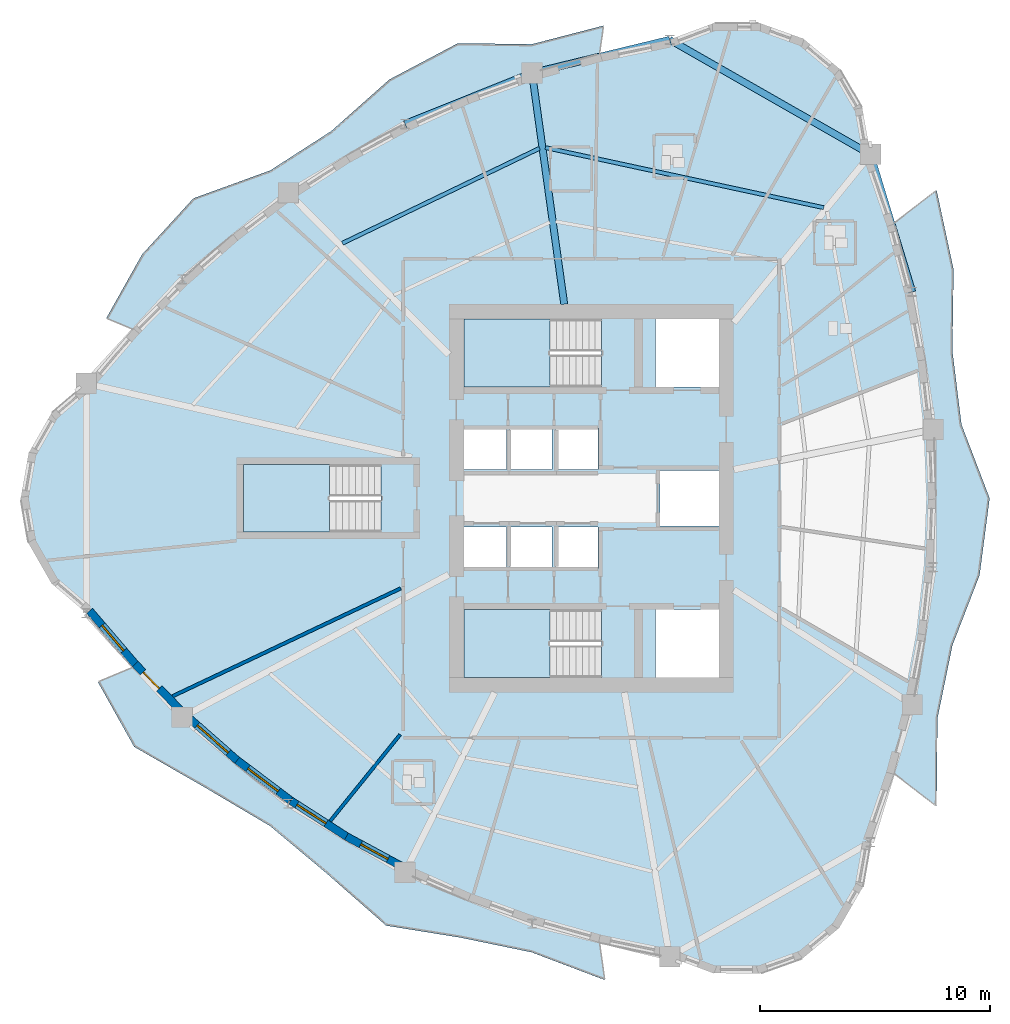
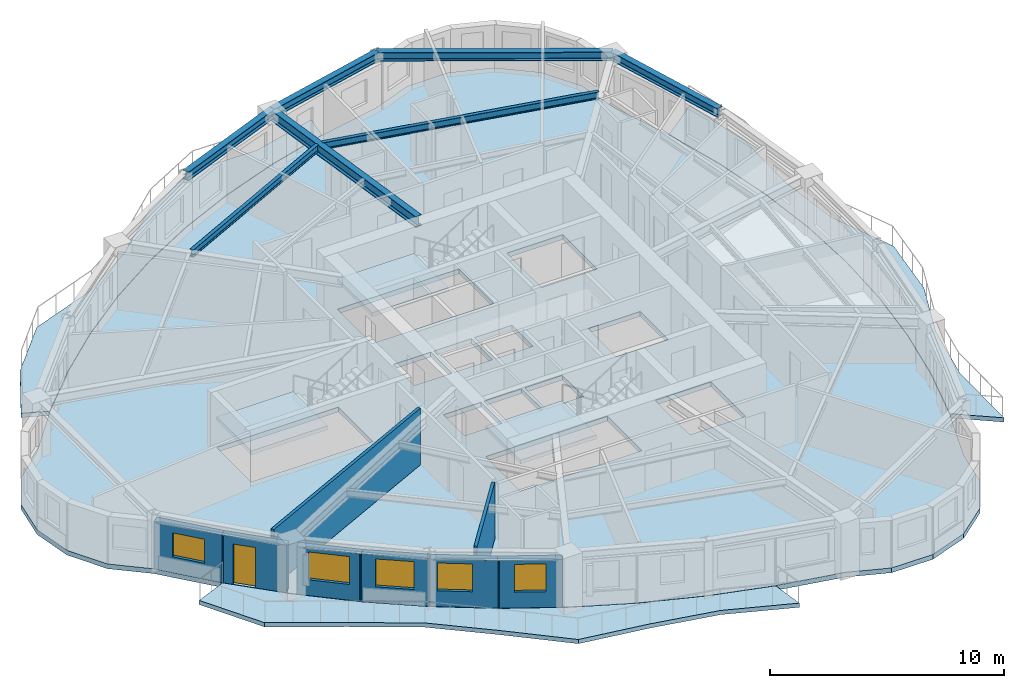
# One storey, part 2 of 12: 8 walls, 7 beams, 7 slabs, 5 windows, 1 door, 6 openings, 3 elements without a shape of their own.
"""IFC4 building model written with IfcOpenShell, lengths in metres."""

from ifc_helpers import new_model, si_unit, direction, frame, frame_2d, origin, origin_2d, place, context, subcontext, project, spatial, polyline, rectangle, i_section, outline, extrude, source, transform, mapped, material, layer, layer_set, material_profile, profile_set, type_object, element, fill, aggregate, save


model = new_model("IFC4")

# Units and contexts
model_context = context("Model", 3, precision=1e-05, world=origin(), true_north=direction((0.0, 1.0)))
body_context = subcontext(model_context, "Body", "Model", "MODEL_VIEW")
ifc_project = project(units=[si_unit("LENGTHUNIT", "METRE"), si_unit("AREAUNIT", "SQUARE_METRE"), si_unit("VOLUMEUNIT", "CUBIC_METRE"), si_unit("PLANEANGLEUNIT", "RADIAN"), si_unit("MASSUNIT", "GRAM", prefix="KILO")], contexts=[model_context])

# Site, building, storey
site_placement = place(None, origin())
site = spatial("IfcSite", under=ifc_project, at=site_placement, CompositionType="ELEMENT")
building_placement = place(site_placement, origin())
building = spatial("IfcBuilding", under=site, at=building_placement, Name="Qafzar Sky-Pleat Residences", CompositionType="ELEMENT")
storey_placement = place(building_placement, frame((0.0, 0.0, 92.800048828125)))
storey = spatial("IfcBuildingStorey", under=building, at=storey_placement, Name="L27", CompositionType="ELEMENT", Elevation=92.800048828125)

# Beams
ifc_material_1 = material(Name="Steel S355", Category="steel")
ifc_material_profile_1 = material_profile(ifc_material_1, i_section(OverallWidth=0.300048828125, OverallDepth=0.449951171875, WebThickness=0.013916015625, FlangeThickness=0.02587890625, FilletRadius=0.027099609375, at=origin_2d()), Name="HEB 450")
ifc_profile_set_1 = profile_set([ifc_material_profile_1], Name="Steel S355")
beam_type_1 = type_object("IfcBeamType", Name="BM-SPAN-HEB450", PredefinedType="SPANDREL", material=ifc_profile_set_1)
shared_shape_1 = source(origin(), body_context, "Body", "SweptSolid", [
    extrude(i_section(OverallWidth=0.300048828125, OverallDepth=0.449951171875, WebThickness=0.013916015625, FlangeThickness=0.02587890625, FilletRadius=0.027099609375, at=origin_2d()), origin(), (0.0, 0.0, 1.0), 10.072021484375),
])
beam_1_placement = place(storey_placement, frame((42.5048828125, 40.97119140625, 2.722900390625), z_axis=(-0.868286397172, 0.496063234363, 0.0), x_axis=(-0.496063234363, -0.868286397172, 0.0)))
element("IfcBeam", 1, at=beam_1_placement, inside=storey, type_object=beam_type_1, Name="L27 Perimeter Spandrel Beam 13", PredefinedType="SPANDREL", context=body_context, shape_type="MappedRepresentation", body=[
    mapped(shared_shape_1, transform((0.0, 0.0, 0.0), x_axis=(1.0, 0.0, 0.0), y_axis=(0.0, 1.0, 0.0), z_axis=(0.0, 0.0, 1.0), scale=1.0)),
])
shared_shape_2 = source(origin(), body_context, "Body", "SweptSolid", [
    extrude(i_section(OverallWidth=0.300048828125, OverallDepth=0.449951171875, WebThickness=0.013916015625, FlangeThickness=0.02587890625, FilletRadius=0.027099609375, at=origin_2d()), origin(), (0.0, 0.0, 1.0), 6.162353515625),
])
beam_2_placement = place(storey_placement, frame((33.759521484375, 45.967529296875, 2.722900390625), z_axis=(-0.971914942444, -0.235332413098, 0.0), x_axis=(0.235332413098, -0.971914942444, 0.0)))
element("IfcBeam", 2, at=beam_2_placement, inside=storey, type_object=beam_type_1, Name="L27 Perimeter Spandrel Beam 14", PredefinedType="SPANDREL", context=body_context, shape_type="MappedRepresentation", body=[
    mapped(shared_shape_2, transform((0.0, 0.0, 0.0), x_axis=(1.0, 0.0, 0.0), y_axis=(0.0, 1.0, 0.0), z_axis=(0.0, 0.0, 1.0), scale=1.0)),
])
shared_shape_3 = source(origin(), body_context, "Body", "SweptSolid", [
    extrude(i_section(OverallWidth=0.300048828125, OverallDepth=0.449951171875, WebThickness=0.013916015625, FlangeThickness=0.02587890625, FilletRadius=0.027099609375, at=origin_2d()), origin(), (0.0, 0.0, 1.0), 5.963623046875),
])
beam_3_placement = place(storey_placement, frame((27.770263671875, 44.517333984375, 2.722900390625), z_axis=(-0.92796478, -0.372667904546, 0.0), x_axis=(0.372667904546, -0.92796478, 0.0)))
element("IfcBeam", 3, at=beam_3_placement, inside=storey, type_object=beam_type_1, Name="L27 Perimeter Spandrel Beam 15", PredefinedType="SPANDREL", context=body_context, shape_type="MappedRepresentation", body=[
    mapped(shared_shape_3, transform((0.0, 0.0, 0.0), x_axis=(1.0, 0.0, 0.0), y_axis=(0.0, 1.0, 0.0), z_axis=(0.0, 0.0, 1.0), scale=1.0)),
])
shared_shape_4 = source(origin(), body_context, "Body", "SweptSolid", [
    extrude(i_section(OverallWidth=0.300048828125, OverallDepth=0.449951171875, WebThickness=0.013916015625, FlangeThickness=0.02587890625, FilletRadius=0.027099609375, at=origin_2d()), origin(), (0.0, 0.0, 1.0), 6.259033203125),
])
beam_4_placement = place(storey_placement, frame((44.325439453125, 34.982666015625, 2.722900390625), z_axis=(-0.290863594667, 0.956764531793, 0.0), x_axis=(-0.956764531793, -0.290863594667, 0.0)))
element("IfcBeam", 4, at=beam_4_placement, inside=storey, type_object=beam_type_1, Name="L27 Perimeter Spandrel Beam 12", PredefinedType="SPANDREL", context=body_context, shape_type="MappedRepresentation", body=[
    mapped(shared_shape_4, transform((0.0, 0.0, 0.0), x_axis=(1.0, 0.0, 0.0), y_axis=(0.0, 1.0, 0.0), z_axis=(0.0, 0.0, 1.0), scale=1.0)),
])
ifc_material_profile_2 = material_profile(ifc_material_1, i_section(OverallWidth=0.300048828125, OverallDepth=0.550048828125, WebThickness=0.014892578125, FlangeThickness=0.029052734375, FilletRadius=0.027099609375, at=origin_2d()), Name="HEB 550")
ifc_profile_set_2 = profile_set([ifc_material_profile_2], Name="Steel S355")
beam_type_2 = type_object("IfcBeamType", Name="BM-GIRD-HEB550", PredefinedType="BEAM", material=ifc_profile_set_2)
shared_shape_5 = source(origin(), body_context, "Body", "SweptSolid", [
    extrude(i_section(OverallWidth=0.300048828125, OverallDepth=0.550048828125, WebThickness=0.014892578125, FlangeThickness=0.029052734375, FilletRadius=0.027099609375, at=origin_2d()), origin(), (0.0, 0.0, 1.0), 10.16455078125),
])
beam_5_placement = place(storey_placement, frame((27.770263671875, 44.517333984375, 2.6728515625), z_axis=(0.137987276629, -0.990434001581, 0.0), x_axis=(0.990434001581, 0.137987276629, 0.0)))
element("IfcBeam", 5, at=beam_5_placement, inside=storey, type_object=beam_type_2, Name="L27 Radial Floor Girder 15", PredefinedType="BEAM", context=body_context, shape_type="MappedRepresentation", body=[
    mapped(shared_shape_5, transform((0.0, 0.0, 0.0), x_axis=(1.0, 0.0, 0.0), y_axis=(0.0, 1.0, 0.0), z_axis=(0.0, 0.0, 1.0), scale=1.0)),
])
ifc_material_profile_3 = material_profile(ifc_material_1, i_section(OverallWidth=0.169921875, OverallDepth=0.360107421875, WebThickness=0.008056640625, FlangeThickness=0.0126953125, FilletRadius=0.01806640625, at=origin_2d()), Name="IPE 360")
ifc_profile_set_3 = profile_set([ifc_material_profile_3], Name="Steel S355")
beam_type_3 = type_object("IfcBeamType", Name="BM-JST-IPE360", PredefinedType="JOIST", material=ifc_profile_set_3)
shared_shape_6 = source(origin(), body_context, "Body", "SweptSolid", [
    extrude(i_section(OverallWidth=0.169921875, OverallDepth=0.360107421875, WebThickness=0.008056640625, FlangeThickness=0.0126953125, FilletRadius=0.01806640625, at=origin_2d()), origin(), (0.0, 0.0, 1.0), 12.39501953125),
])
beam_6_placement = place(storey_placement, frame((40.46728515625, 38.652587890625, 2.76806640625), z_axis=(-0.977496999627, 0.210949320263, 0.0), x_axis=(-0.210949320263, -0.977496999627, 0.0)))
element("IfcBeam", 6, at=beam_6_placement, inside=storey, type_object=beam_type_3, Name="L27 Outer Secondary Floor Joist 7", PredefinedType="JOIST", context=body_context, shape_type="MappedRepresentation", body=[
    mapped(shared_shape_6, transform((0.0, 0.0, 0.0), x_axis=(1.0, 0.0, 0.0), y_axis=(0.0, 1.0, 0.0), z_axis=(0.0, 0.0, 1.0), scale=1.0)),
])
shared_shape_7 = source(origin(), body_context, "Body", "SweptSolid", [
    extrude(i_section(OverallWidth=0.169921875, OverallDepth=0.360107421875, WebThickness=0.008056640625, FlangeThickness=0.0126953125, FilletRadius=0.01806640625, at=origin_2d()), origin(), (0.0, 0.0, 1.0), 9.524658203125),
])
beam_7_placement = place(storey_placement, frame((28.097412109375, 41.2373046875, 2.76806640625), z_axis=(-0.90090776725, -0.434010593083, 0.0), x_axis=(0.434010593083, -0.90090776725, 0.0)))
element("IfcBeam", 7, at=beam_7_placement, inside=storey, type_object=beam_type_3, Name="L27 Outer Secondary Floor Joist 8", PredefinedType="JOIST", context=body_context, shape_type="MappedRepresentation", body=[
    mapped(shared_shape_7, transform((0.0, 0.0, 0.0), x_axis=(1.0, 0.0, 0.0), y_axis=(0.0, 1.0, 0.0), z_axis=(0.0, 0.0, 1.0), scale=1.0)),
])

# Slabs
ifc_material_2 = material(Name="Concrete C40/50", Category="concrete")
ifc_layer_1 = layer(ifc_material_2, 0.219970703125)
ifc_layer_set_1 = layer_set([ifc_layer_1], Name="Concrete C40/50")
slab_type_1 = type_object("IfcSlabType", Name="SLAB-BAL-220", PredefinedType="USERDEFINED", material=ifc_layer_set_1)
slab_1_placement = place(storey_placement, frame((0.0, 0.0, -0.219970703125)))
element("IfcSlab", 8, at=slab_1_placement, inside=storey, type_object=slab_type_1, Name="L27 Pleated Stone Balcony 1", ObjectType="BALCONY", PredefinedType="USERDEFINED", context=body_context, shape_type="SweptSolid", body=[
    extrude(outline(polyline([(44.3359375, 17.011474609375), (44.90576171875, 20.007568359375), (45.24755859375, 23.003662109375), (45.361572265625, 26.0), (45.24755859375, 28.996337890625), (44.90576171875, 31.992431640625), (44.3359375, 34.988525390625), (43.53857421875, 37.984130859375), (45.38427734375, 39.40771484375), (46.12158203125, 35.970947265625), (46.072509765625, 32.406005859375), (46.46728515625, 29.2080078125), (47.6923828125, 26.0), (47.25537109375, 22.65478515625), (46.072509765625, 19.593994140625), (45.420654296875, 16.414794921875), (45.38427734375, 12.59228515625), (43.53857421875, 14.015869140625), (44.3359375, 17.011474609375)])), origin(), (0.0, 0.0, 1.0), 0.219970703125),
])
slab_2_placement = place(storey_placement, frame((0.0, 0.0, -0.219970703125)))
element("IfcSlab", 9, at=slab_2_placement, inside=storey, type_object=slab_type_1, Name="L27 Pleated Stone Balcony 2", ObjectType="BALCONY", PredefinedType="USERDEFINED", context=body_context, shape_type="SweptSolid", body=[
    extrude(outline(polyline([(27.770263671875, 44.529296875), (24.9443359375, 43.514404296875), (22.232421875, 42.306396484375), (19.634033203125, 40.90478515625), (17.14990234375, 39.31005859375), (14.779541015625, 37.522216796875), (12.5234375, 35.541015625), (10.38134765625, 33.36669921875), (9.239013671875, 33.84423828125), (10.78857421875, 36.6103515625), (13.0224609375, 39.053466796875), (16.36767578125, 40.269775390625), (19.028076171875, 41.984375), (21.552734375, 44.227783203125), (24.543701171875, 45.810546875), (27.7548828125, 45.76708984375), (30.88134765625, 46.576904296875), (30.709716796875, 45.350830078125), (27.770263671875, 44.529296875)])), origin(), (0.0, 0.0, 1.0), 0.219970703125),
])
slab_3_placement = place(storey_placement, frame((0.0, 0.0, -0.219970703125)))
element("IfcSlab", 10, at=slab_3_placement, inside=storey, type_object=slab_type_1, Name="L27 Pleated Stone Balcony 3", ObjectType="BALCONY", PredefinedType="USERDEFINED", context=body_context, shape_type="SweptSolid", body=[
    extrude(outline(polyline([(12.5234375, 16.458984375), (14.779541015625, 14.477783203125), (17.14990234375, 12.68994140625), (19.634033203125, 11.09521484375), (22.232421875, 9.693603515625), (24.9443359375, 8.485595703125), (27.770263671875, 7.470703125), (30.709716796875, 6.649169921875), (30.936767578125, 5.027099609375), (27.7548828125, 6.23291015625), (24.662841796875, 6.8720703125), (21.419189453125, 7.395263671875), (18.832275390625, 9.666748046875), (16.36767578125, 11.730224609375), (13.544677734375, 13.401611328125), (10.447998046875, 15.1796875), (8.8701171875, 18.00146484375), (10.38134765625, 18.63330078125), (12.5234375, 16.458984375)])), origin(), (0.0, 0.0, 1.0), 0.219970703125),
])
ifc_layer_2 = layer(ifc_material_2, 0.25)
ifc_layer_set_2 = layer_set([ifc_layer_2], Name="Concrete C40/50")
slab_type_2 = type_object("IfcSlabType", Name="SLAB-FLR-250", PredefinedType="FLOOR", material=ifc_layer_set_2)
slab_4_placement = place(storey_placement, frame((0.0, 0.0, -0.25)))
element("IfcSlab", 11, at=slab_4_placement, inside=storey, type_object=slab_type_2, Name="L27 Structural Floor Slab", PredefinedType="FLOOR", context=body_context, shape_type="SweptSolid", body=[
    extrude(outline(polyline([(8.364990234375, 30.996337890625), (6.844970703125, 29.701171875), (5.854248046875, 27.96728515625), (5.510498046875, 26.0), (5.854248046875, 24.03271484375), (6.844970703125, 22.298828125), (8.364990234375, 21.003662109375), (10.392333984375, 18.637939453125), (12.53369140625, 16.46533203125), (14.78857421875, 14.48583984375), (17.157470703125, 12.69921875), (19.639892578125, 11.105712890625), (22.236328125, 9.705078125), (24.9462890625, 8.497314453125), (27.770263671875, 7.482666015625), (30.7080078125, 6.6611328125), (33.759521484375, 6.032470703125), (35.654541015625, 5.32470703125), (37.677490234375, 5.31103515625), (39.58203125, 5.992919921875), (41.13671875, 7.287109375), (42.152099609375, 9.036865234375), (42.5048828125, 11.02880859375), (43.529052734375, 14.023193359375), (44.325439453125, 17.017333984375), (44.894287109375, 20.011474609375), (45.235595703125, 23.005859375), (45.349609375, 26.0), (45.235595703125, 28.994140625), (44.894287109375, 31.988525390625), (44.325439453125, 34.982666015625), (43.529052734375, 37.976806640625), (42.5048828125, 40.97119140625), (42.152099609375, 42.963134765625), (41.13671875, 44.712890625), (39.58203125, 46.007080078125), (37.677490234375, 46.68896484375), (35.654541015625, 46.67529296875), (33.759521484375, 45.967529296875), (30.7080078125, 45.3388671875), (27.770263671875, 44.517333984375), (24.9462890625, 43.502685546875), (22.236328125, 42.294921875), (19.639892578125, 40.894287109375), (17.157470703125, 39.30078125), (14.78857421875, 37.51416015625), (12.53369140625, 35.53466796875), (10.392333984375, 33.362060546875), (8.364990234375, 30.996337890625)]), holes=[polyline([(30.797119140625, 21.14990234375), (24.800048828125, 21.14990234375), (24.800048828125, 18.199951171875), (30.797119140625, 18.199951171875), (30.797119140625, 21.14990234375)]), polyline([(30.797119140625, 33.800048828125), (24.800048828125, 33.800048828125), (24.800048828125, 30.85009765625), (30.797119140625, 30.85009765625), (30.797119140625, 33.800048828125)]), polyline([(21.197021484375, 27.47509765625), (15.199951171875, 27.47509765625), (15.199951171875, 24.52490234375), (21.197021484375, 24.52490234375), (21.197021484375, 27.47509765625)]), polyline([(24.800048828125, 22.949951171875), (26.64990234375, 22.949951171875), (26.64990234375, 24.75), (24.800048828125, 24.75), (24.800048828125, 22.949951171875)]), polyline([(26.800048828125, 22.949951171875), (28.64990234375, 22.949951171875), (28.64990234375, 24.75), (26.800048828125, 24.75), (26.800048828125, 22.949951171875)]), polyline([(28.800048828125, 22.949951171875), (30.64990234375, 22.949951171875), (30.64990234375, 24.75), (28.800048828125, 24.75), (28.800048828125, 22.949951171875)]), polyline([(24.800048828125, 27.25), (26.64990234375, 27.25), (26.64990234375, 29.050048828125), (24.800048828125, 29.050048828125), (24.800048828125, 27.25)]), polyline([(26.800048828125, 27.25), (28.64990234375, 27.25), (28.64990234375, 29.050048828125), (26.800048828125, 29.050048828125), (26.800048828125, 27.25)]), polyline([(28.800048828125, 27.25), (30.64990234375, 27.25), (30.64990234375, 29.050048828125), (28.800048828125, 29.050048828125), (28.800048828125, 27.25)]), polyline([(33.14990234375, 18.199951171875), (35.89990234375, 18.199951171875), (35.89990234375, 21.14990234375), (33.14990234375, 21.14990234375), (33.14990234375, 18.199951171875)]), polyline([(33.14990234375, 30.85009765625), (35.89990234375, 30.85009765625), (35.89990234375, 33.800048828125), (33.14990234375, 33.800048828125), (33.14990234375, 30.85009765625)]), polyline([(33.35009765625, 24.800048828125), (35.89990234375, 24.800048828125), (35.89990234375, 27.199951171875), (33.35009765625, 27.199951171875), (33.35009765625, 24.800048828125)])]), origin(), (0.0, 0.0, 1.0), 0.25),
])

# Stair, slab
stair_type = type_object("IfcStairType", Name="STAIR-H320", PredefinedType="HALF_TURN_STAIR", material=ifc_material_2)
stair_1_placement = place(storey_placement, origin())
stair_1 = element("IfcStair", 12, at=stair_1_placement, inside=storey, type_object=stair_type, Name="L27 Protected Exit Stair ST1", PredefinedType="HALF_TURN_STAIR")
ifc_layer_3 = layer(ifc_material_2, 0.199951171875)
ifc_layer_set_3 = layer_set([ifc_layer_3], Name="Concrete C40/50")
slab_type_3 = type_object("IfcSlabType", Name="SLAB-LANDING-200", PredefinedType="LANDING", material=ifc_layer_set_3)
slab_5_placement = place(storey_placement, frame((0.0, 0.0, 1.39990234375)))
slab_5 = element("IfcSlab", 13, at=slab_5_placement, type_object=slab_type_3, Name="ST1 landing 1", PredefinedType="LANDING", context=body_context, shape_type="SweptSolid", body=[
    extrude(outline(polyline([(28.56005859375, 21.14990234375), (24.800048828125, 21.14990234375), (24.800048828125, 18.199951171875), (28.56005859375, 18.199951171875), (28.56005859375, 21.14990234375)])), origin(), (0.0, 0.0, 1.0), 0.199951171875),
])
aggregate(stair_1, [slab_5])

stair_2_placement = place(storey_placement, origin())
stair_2 = element("IfcStair", 14, at=stair_2_placement, inside=storey, type_object=stair_type, Name="L27 Protected Exit Stair ST2", PredefinedType="HALF_TURN_STAIR")
slab_6_placement = place(storey_placement, frame((0.0, 0.0, 1.39990234375)))
slab_6 = element("IfcSlab", 15, at=slab_6_placement, type_object=slab_type_3, Name="ST2 landing 1", PredefinedType="LANDING", context=body_context, shape_type="SweptSolid", body=[
    extrude(outline(polyline([(28.56005859375, 33.800048828125), (24.800048828125, 33.800048828125), (24.800048828125, 30.85009765625), (28.56005859375, 30.85009765625), (28.56005859375, 33.800048828125)])), origin(), (0.0, 0.0, 1.0), 0.199951171875),
])
aggregate(stair_2, [slab_6])

stair_3_placement = place(storey_placement, origin())
stair_3 = element("IfcStair", 16, at=stair_3_placement, inside=storey, type_object=stair_type, Name="L27 Protected Exit Stair ST3", PredefinedType="HALF_TURN_STAIR")
slab_7_placement = place(storey_placement, frame((0.0, 0.0, 1.39990234375)))
slab_7 = element("IfcSlab", 17, at=slab_7_placement, type_object=slab_type_3, Name="ST3 landing 1", PredefinedType="LANDING", context=body_context, shape_type="SweptSolid", body=[
    extrude(outline(polyline([(18.9599609375, 27.47509765625), (15.199951171875, 27.47509765625), (15.199951171875, 24.52490234375), (18.9599609375, 24.52490234375), (18.9599609375, 27.47509765625)])), origin(), (0.0, 0.0, 1.0), 0.199951171875),
])
aggregate(stair_3, [slab_7])

# Walls
ifc_material_3 = material(Name="Acoustic gypsum plasterboard partition", Category="gypsum")
ifc_layer_4 = layer(ifc_material_3, 0.14501953125)
ifc_layer_set_4 = layer_set([ifc_layer_4], Name="Acoustic gypsum plasterboard partition")
wall_type_1 = type_object("IfcWallType", Name="PART-UNIT-145", PredefinedType="PARTITIONING", material=ifc_layer_set_4)
wall_1_placement = place(storey_placement, frame((12.122802734375, 17.3828125, 0.0), z_axis=(0.0, 0.0, 1.0), x_axis=(0.904049465168, 0.427427847162, 0.0)))
element("IfcWall", 18, at=wall_1_placement, inside=storey, type_object=wall_type_1, Name="L27 Partition Wall PART-L27-PW-023", PredefinedType="PARTITIONING", context=body_context, shape_type="SweptSolid", body=[
    extrude(rectangle(XDim=10.982666015625, YDim=0.14501953125, at=frame_2d((5.4912109375, 0.0))), origin(), (0.0, 0.0, 1.0), 2.949951171875),
])
wall_2_placement = place(storey_placement, frame((18.985595703125, 11.948486328125, 0.0), z_axis=(0.0, 0.0, 1.0), x_axis=(0.628820808954, 0.777550249326, 0.0)))
element("IfcWall", 19, at=wall_2_placement, inside=storey, type_object=wall_type_1, Name="L27 Partition Wall PART-L27-PW-038", PredefinedType="PARTITIONING", context=body_context, shape_type="SweptSolid", body=[
    extrude(rectangle(XDim=4.839111328125, YDim=0.14501953125, at=frame_2d((2.41943359375, 0.0))), origin(), (0.0, 0.0, 1.0), 2.949951171875),
])

# Wall, opening, window
ifc_material_4 = material(Name="Precast concrete C40/50 with honed Riyadh limestone", Category="concrete")
ifc_layer_5 = layer(ifc_material_4, 0.340087890625)
ifc_layer_set_5 = layer_set([ifc_layer_5], Name="Precast concrete C40/50 with honed Riyadh limestone")
wall_type_2 = type_object("IfcWallType", Name="WALL-EXT-340", PredefinedType="SOLIDWALL", material=ifc_layer_set_5)
wall_3_placement = place(storey_placement, frame((8.507080078125, 21.09912109375, 0.0), z_axis=(0.0, 0.0, 1.0), x_axis=(0.650714375508, -0.759322593834, 0.0)))
wall_3 = element("IfcWall", 20, at=wall_3_placement, inside=storey, type_object=wall_type_2, Name="L27 Limestone Facade Wall 7", PredefinedType="SOLIDWALL", context=body_context, shape_type="SweptSolid", body=[
    extrude(rectangle(XDim=3.133544921875, YDim=0.340087890625, at=frame_2d((1.56689453125, 0.0))), origin(), (0.0, 0.0, 1.0), 2.47998046875),
])
opening_1_placement = place(wall_3_placement, frame((0.831787109375, 0.0, 0.820068359375)))
opening_1 = element("IfcOpeningElement", 21, at=opening_1_placement, cuts=wall_3, Name="Opening WN-15", PredefinedType="OPENING", context=body_context, shape_type="SweptSolid", body=[
    extrude(rectangle(XDim=1.449951171875, YDim=1.25, at=frame_2d((0.72509765625, 0.625))), frame((0.0, 0.18017578125, 0.0), z_axis=(0.0, -1.0, 0.0), x_axis=(1.0, 0.0, 0.0)), (0.0, 0.0, 1.0), 0.360107421875),
])
ifc_material_5 = material(Name="Solar-control low-E glass in bronze aluminium frame", Category="glass")
window_type_1 = type_object("IfcWindowType", Name="WIN-15", PartitioningType="SINGLE_PANEL", PredefinedType="WINDOW", material=ifc_material_5)
shared_shape_8 = source(origin(), body_context, "Body", "SweptSolid", [
    extrude(rectangle(XDim=1.449951171875, YDim=1.25, at=frame_2d((0.72509765625, 0.625))), frame((0.0, 0.030029296875, 0.0), z_axis=(0.0, -1.0, 0.0), x_axis=(1.0, 0.0, 0.0)), (0.0, 0.0, 1.0), 0.06005859375),
])
window_1_placement = place(opening_1_placement, origin())
window_1 = element("IfcWindow", 22, at=window_1_placement, inside=storey, type_object=window_type_1, Name="L27 Punched Facade Window 07", OverallHeight=1.25, OverallWidth=1.449951171875, PartitioningType="SINGLE_PANEL", PredefinedType="WINDOW", context=body_context, shape_type="MappedRepresentation", body=[
    mapped(shared_shape_8, transform((0.0, 0.0, 0.0), x_axis=(1.0, 0.0, 0.0), y_axis=(0.0, 1.0, 0.0), z_axis=(0.0, 0.0, 1.0), scale=1.0)),
])
fill(opening_1, window_1)

# Wall, opening, door
wall_4_placement = place(storey_placement, frame((10.48681640625, 18.784423828125, 0.0), z_axis=(0.0, 0.0, 1.0), x_axis=(0.701920439278, -0.71225535935, 0.0)))
wall_4 = element("IfcWall", 23, at=wall_4_placement, inside=storey, type_object=wall_type_2, Name="L27 Limestone Facade Wall 8", PredefinedType="SOLIDWALL", context=body_context, shape_type="SweptSolid", body=[
    extrude(rectangle(XDim=2.8583984375, YDim=0.340087890625, at=frame_2d((1.42919921875, 0.0))), origin(), (0.0, 0.0, 1.0), 2.47998046875),
])
opening_2_placement = place(wall_4_placement, frame((0.50048828125, 0.0, 0.0)))
opening_2 = element("IfcOpeningElement", 24, at=opening_2_placement, cuts=wall_4, Name="Opening ED-05", PredefinedType="OPENING", context=body_context, shape_type="SweptSolid", body=[
    extrude(rectangle(XDim=1.0, YDim=2.10009765625, at=frame_2d((0.5, 1.050048828125))), frame((0.0, 0.18017578125, 0.0), z_axis=(0.0, -1.0, 0.0), x_axis=(1.0, 0.0, 0.0)), (0.0, 0.0, 1.0), 0.360107421875),
])
ifc_material_6 = material(Name="Glazed bronze aluminium door", Category="aluminium")
door_type = type_object("IfcDoorType", Name="DR-BAL-1000", OperationType="NOTDEFINED", PredefinedType="DOOR", material=ifc_material_6)
shared_shape_9 = source(origin(), body_context, "Body", "SweptSolid", [
    extrude(rectangle(XDim=1.0, YDim=2.10009765625, at=frame_2d((0.5, 1.050048828125))), frame((0.0, 0.02490234375, 0.0), z_axis=(0.0, -1.0, 0.0), x_axis=(1.0, 0.0, 0.0)), (0.0, 0.0, 1.0), 0.050048828125),
])
door_placement = place(opening_2_placement, origin())
door = element("IfcDoor", 25, at=door_placement, inside=storey, type_object=door_type, Name="L27 Glazed Balcony Door 3", OperationType="SINGLE_SWING_LEFT", OverallHeight=2.10009765625, OverallWidth=1.0, PredefinedType="DOOR", context=body_context, shape_type="MappedRepresentation", body=[
    mapped(shared_shape_9, transform((0.0, 0.0, 0.0), x_axis=(1.0, 0.0, 0.0), y_axis=(0.0, 1.0, 0.0), z_axis=(0.0, 0.0, 1.0), scale=1.0)),
])
fill(opening_2, door)

# Wall, opening, window
wall_5_placement = place(storey_placement, frame((12.818603515625, 16.44140625, 0.0), z_axis=(0.0, 0.0, 1.0), x_axis=(0.751471759174, -0.659765257621, 0.0)))
wall_5 = element("IfcWall", 26, at=wall_5_placement, inside=storey, type_object=wall_type_2, Name="L27 Limestone Facade Wall 9", PredefinedType="SOLIDWALL", context=body_context, shape_type="SweptSolid", body=[
    extrude(rectangle(XDim=2.80859375, YDim=0.340087890625, at=frame_2d((1.404296875, 0.0))), origin(), (0.0, 0.0, 1.0), 2.47998046875),
])
opening_3_placement = place(wall_5_placement, frame((0.499267578125, 0.0, 0.820068359375)))
opening_3 = element("IfcOpeningElement", 27, at=opening_3_placement, cuts=wall_5, Name="Opening WN-01", PredefinedType="OPENING", context=body_context, shape_type="SweptSolid", body=[
    extrude(rectangle(XDim=1.800048828125, YDim=1.449951171875, at=frame_2d((0.89990234375, 0.72509765625))), frame((0.0, 0.18017578125, 0.0), z_axis=(0.0, -1.0, 0.0), x_axis=(1.0, 0.0, 0.0)), (0.0, 0.0, 1.0), 0.360107421875),
])
window_type_2 = type_object("IfcWindowType", Name="WIN-01", PartitioningType="DOUBLE_PANEL_VERTICAL", PredefinedType="WINDOW", material=ifc_material_5)
shared_shape_10 = source(origin(), body_context, "Body", "SweptSolid", [
    extrude(rectangle(XDim=1.800048828125, YDim=1.449951171875, at=frame_2d((0.89990234375, 0.72509765625))), frame((0.0, 0.030029296875, 0.0), z_axis=(0.0, -1.0, 0.0), x_axis=(1.0, 0.0, 0.0)), (0.0, 0.0, 1.0), 0.06005859375),
])
window_2_placement = place(opening_3_placement, origin())
window_2 = element("IfcWindow", 28, at=window_2_placement, inside=storey, type_object=window_type_2, Name="L27 Punched Facade Window 09", OverallHeight=1.449951171875, OverallWidth=1.800048828125, PartitioningType="SINGLE_PANEL", PredefinedType="WINDOW", context=body_context, shape_type="MappedRepresentation", body=[
    mapped(shared_shape_10, transform((0.0, 0.0, 0.0), x_axis=(1.0, 0.0, 0.0), y_axis=(0.0, 1.0, 0.0), z_axis=(0.0, 0.0, 1.0), scale=1.0)),
])
fill(opening_3, window_2)

wall_6_placement = place(storey_placement, frame((14.860595703125, 14.644287109375, 0.0), z_axis=(0.0, 0.0, 1.0), x_axis=(0.798407246828, -0.602117819212, 0.0)))
wall_6 = element("IfcWall", 29, at=wall_6_placement, inside=storey, type_object=wall_type_2, Name="L27 Limestone Facade Wall 10", PredefinedType="SOLIDWALL", context=body_context, shape_type="SweptSolid", body=[
    extrude(rectangle(XDim=2.985107421875, YDim=0.340087890625, at=frame_2d((1.49267578125, 0.0))), origin(), (0.0, 0.0, 1.0), 2.47998046875),
])
opening_4_placement = place(wall_6_placement, frame((0.677490234375, 0.0, 0.820068359375)))
opening_4 = element("IfcOpeningElement", 30, at=opening_4_placement, cuts=wall_6, Name="Opening WN-02", PredefinedType="OPENING", context=body_context, shape_type="SweptSolid", body=[
    extrude(rectangle(XDim=1.64990234375, YDim=1.449951171875, at=frame_2d((0.824951171875, 0.72509765625))), frame((0.0, 0.18017578125, 0.0), z_axis=(0.0, -1.0, 0.0), x_axis=(1.0, 0.0, 0.0)), (0.0, 0.0, 1.0), 0.360107421875),
])
window_type_3 = type_object("IfcWindowType", Name="WIN-02", PartitioningType="DOUBLE_PANEL_VERTICAL", PredefinedType="WINDOW", material=ifc_material_5)
shared_shape_11 = source(origin(), body_context, "Body", "SweptSolid", [
    extrude(rectangle(XDim=1.64990234375, YDim=1.449951171875, at=frame_2d((0.824951171875, 0.72509765625))), frame((0.0, 0.030029296875, 0.0), z_axis=(0.0, -1.0, 0.0), x_axis=(1.0, 0.0, 0.0)), (0.0, 0.0, 1.0), 0.06005859375),
])
window_3_placement = place(opening_4_placement, origin())
window_3 = element("IfcWindow", 31, at=window_3_placement, inside=storey, type_object=window_type_3, Name="L27 Punched Facade Window 10", OverallHeight=1.449951171875, OverallWidth=1.64990234375, PartitioningType="SINGLE_PANEL", PredefinedType="WINDOW", context=body_context, shape_type="MappedRepresentation", body=[
    mapped(shared_shape_11, transform((0.0, 0.0, 0.0), x_axis=(1.0, 0.0, 0.0), y_axis=(0.0, 1.0, 0.0), z_axis=(0.0, 0.0, 1.0), scale=1.0)),
])
fill(opening_4, window_3)

wall_7_placement = place(storey_placement, frame((17.26611328125, 12.83154296875, 0.0), z_axis=(0.0, 0.0, 1.0), x_axis=(0.841493702039, -0.540266924241, 0.0)))
wall_7 = element("IfcWall", 32, at=wall_7_placement, inside=storey, type_object=wall_type_2, Name="L27 Limestone Facade Wall 11", PredefinedType="SOLIDWALL", context=body_context, shape_type="SweptSolid", body=[
    extrude(rectangle(XDim=2.968017578125, YDim=0.340087890625, at=frame_2d((1.48388671875, 0.0))), origin(), (0.0, 0.0, 1.0), 2.47998046875),
])
opening_5_placement = place(wall_7_placement, frame((0.320556640625, 0.0, 0.820068359375)))
opening_5 = element("IfcOpeningElement", 33, at=opening_5_placement, cuts=wall_7, Name="Opening WN-03", PredefinedType="OPENING", context=body_context, shape_type="SweptSolid", body=[
    extrude(rectangle(XDim=1.5, YDim=1.449951171875, at=frame_2d((0.75, 0.72509765625))), frame((0.0, 0.18017578125, 0.0), z_axis=(0.0, -1.0, 0.0), x_axis=(1.0, 0.0, 0.0)), (0.0, 0.0, 1.0), 0.360107421875),
])
window_type_4 = type_object("IfcWindowType", Name="WIN-03", PartitioningType="DOUBLE_PANEL_VERTICAL", PredefinedType="WINDOW", material=ifc_material_5)
shared_shape_12 = source(origin(), body_context, "Body", "SweptSolid", [
    extrude(rectangle(XDim=1.5, YDim=1.449951171875, at=frame_2d((0.75, 0.72509765625))), frame((0.0, 0.030029296875, 0.0), z_axis=(0.0, -1.0, 0.0), x_axis=(1.0, 0.0, 0.0)), (0.0, 0.0, 1.0), 0.06005859375),
])
window_4_placement = place(opening_5_placement, origin())
window_4 = element("IfcWindow", 34, at=window_4_placement, inside=storey, type_object=window_type_4, Name="L27 Punched Facade Window 11", OverallHeight=1.449951171875, OverallWidth=1.5, PartitioningType="SINGLE_PANEL", PredefinedType="WINDOW", context=body_context, shape_type="MappedRepresentation", body=[
    mapped(shared_shape_12, transform((0.0, 0.0, 0.0), x_axis=(1.0, 0.0, 0.0), y_axis=(0.0, 1.0, 0.0), z_axis=(0.0, 0.0, 1.0), scale=1.0)),
])
fill(opening_5, window_4)

wall_8_placement = place(storey_placement, frame((19.687255859375, 11.273193359375, 0.0), z_axis=(0.0, 0.0, 1.0), x_axis=(0.880115534419, -0.474759566595, 0.0)))
wall_8 = element("IfcWall", 35, at=wall_8_placement, inside=storey, type_object=wall_type_2, Name="L27 Limestone Facade Wall 12", PredefinedType="SOLIDWALL", context=body_context, shape_type="SweptSolid", body=[
    extrude(rectangle(XDim=2.7578125, YDim=0.340087890625, at=frame_2d((1.37890625, 0.0))), origin(), (0.0, 0.0, 1.0), 2.47998046875),
])
opening_6_placement = place(wall_8_placement, frame((0.708984375, 0.0, 0.820068359375)))
opening_6 = element("IfcOpeningElement", 36, at=opening_6_placement, cuts=wall_8, Name="Opening WN-04", PredefinedType="OPENING", context=body_context, shape_type="SweptSolid", body=[
    extrude(rectangle(XDim=1.35009765625, YDim=1.449951171875, at=frame_2d((0.675048828125, 0.72509765625))), frame((0.0, 0.18017578125, 0.0), z_axis=(0.0, -1.0, 0.0), x_axis=(1.0, 0.0, 0.0)), (0.0, 0.0, 1.0), 0.360107421875),
])
window_type_5 = type_object("IfcWindowType", Name="WIN-04", PartitioningType="SINGLE_PANEL", PredefinedType="WINDOW", material=ifc_material_5)
shared_shape_13 = source(origin(), body_context, "Body", "SweptSolid", [
    extrude(rectangle(XDim=1.35009765625, YDim=1.449951171875, at=frame_2d((0.675048828125, 0.72509765625))), frame((0.0, 0.030029296875, 0.0), z_axis=(0.0, -1.0, 0.0), x_axis=(1.0, 0.0, 0.0)), (0.0, 0.0, 1.0), 0.06005859375),
])
window_5_placement = place(opening_6_placement, origin())
window_5 = element("IfcWindow", 37, at=window_5_placement, inside=storey, type_object=window_type_5, Name="L27 Punched Facade Window 12", OverallHeight=1.449951171875, OverallWidth=1.35009765625, PartitioningType="SINGLE_PANEL", PredefinedType="WINDOW", context=body_context, shape_type="MappedRepresentation", body=[
    mapped(shared_shape_13, transform((0.0, 0.0, 0.0), x_axis=(1.0, 0.0, 0.0), y_axis=(0.0, 1.0, 0.0), z_axis=(0.0, 0.0, 1.0), scale=1.0)),
])
fill(opening_6, window_5)

save(model, "model.ifc")
